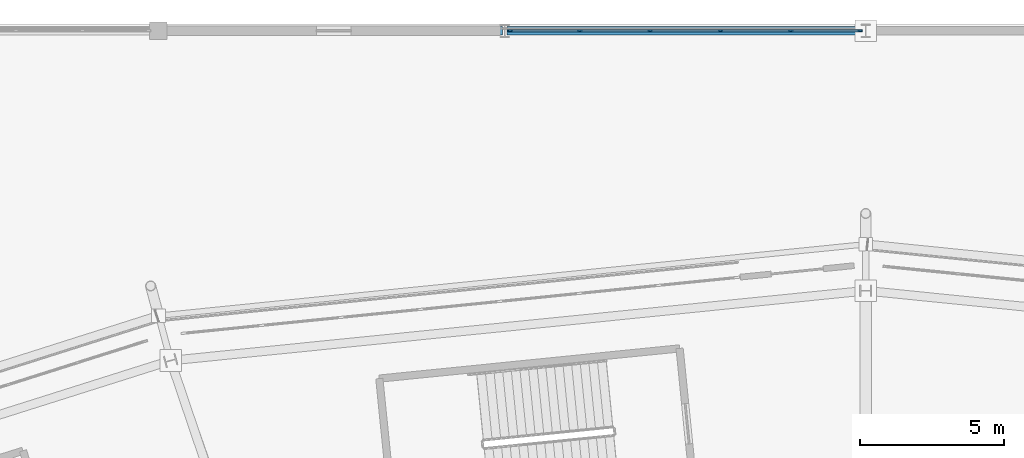
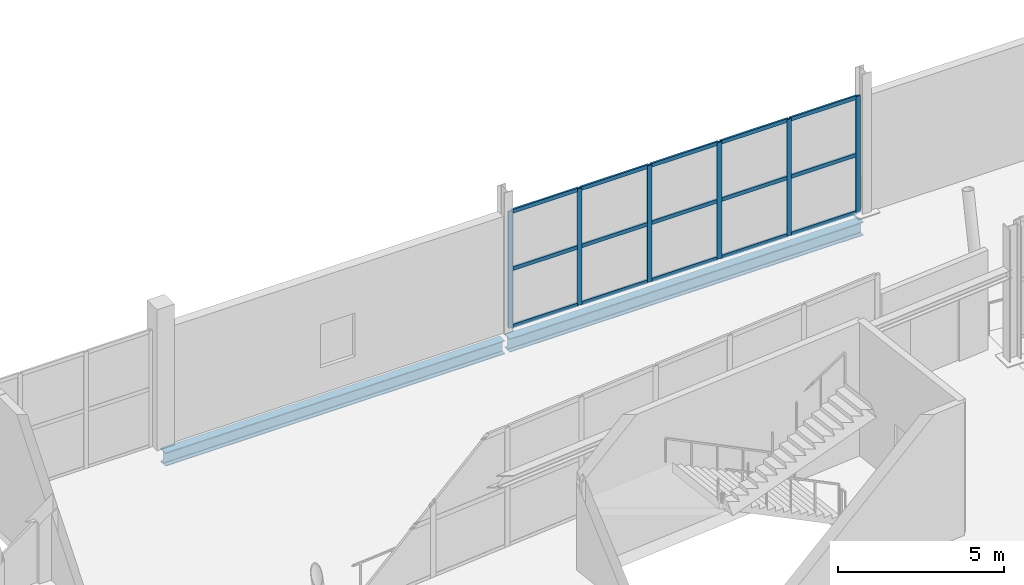
# One storey, part 79 of 178: 21 members, 2 beams, 1 element without a shape of its own.
"""IFC4 building model written with IfcOpenShell, lengths in metres."""

import ifcopenshell
import ifcopenshell.guid

model = None  # the IFC model being written
_history = None  # IfcOwnerHistory: only IFC2X3 demands one
_inside = {}  # id of a spatial element -> (the spatial element, [elements in it])
_under = {}  # id of a project, library or spatial element -> (it, [spatial elements below it])
_declared = {}  # id of a project -> (the project, [libraries it declares])
_typed = {}  # id of a type object -> (the type object, [elements of that type])
_made_of = {}  # id of a material, layer set ... -> (it, [elements and type objects made of it])


def new_model(schema):
    """Start an empty IFC model of exactly this schema.

    Asked for "IFC4X3", IfcOpenShell would pick the latest addendum, in which some entities
    have other attributes; the version numbers below select the first issue.
    IFC2X3 requires an IfcOwnerHistory on every rooted entity: one is made here for all.
    """
    global model, _history
    if schema == "IFC4X3":
        model = ifcopenshell.file(schema_version=(4, 3, 0, 0))
    else:
        model = ifcopenshell.file(schema=schema)
    _inside.clear()
    _under.clear()
    _declared.clear()
    _typed.clear()
    _made_of.clear()
    _history = None
    if model.schema == "IFC2X3":
        org = make("IfcOrganization", Name="unknown")
        user = make(
            "IfcPersonAndOrganization",
            ThePerson=make("IfcPerson", FamilyName="unknown"),
            TheOrganization=org,
        )
        app = make(
            "IfcApplication",
            ApplicationDeveloper=org,
            Version="unknown",
            ApplicationFullName="unknown",
            ApplicationIdentifier="unknown",
        )
        _history = make(
            "IfcOwnerHistory",
            OwningUser=user,
            OwningApplication=app,
            ChangeAction="ADDED",
            CreationDate=0,
        )
    return model


def make(cls, **values):
    """One entity of the class cls with the attributes given. An attribute that is None is left unset."""
    return model.create_entity(
        cls, **{name: value for name, value in values.items() if value is not None}
    )


def rooted(cls, **values):
    """An entity with a GlobalId (a new one), such as an element, a storey or a relation."""
    return make(cls, GlobalId=ifcopenshell.guid.new(), OwnerHistory=_history, **values)


def si_unit(unit_type, name, prefix=None):
    """IfcSIUnit, for example si_unit("LENGTHUNIT", "METRE", prefix="MILLI")."""
    return make("IfcSIUnit", UnitType=unit_type, Prefix=prefix, Name=name)


def assignment(units):
    """IfcUnitAssignment: the units of a project."""
    return None if units is None else make("IfcUnitAssignment", Units=units)


def point(xyz):
    """IfcCartesianPoint."""
    return None if xyz is None else make("IfcCartesianPoint", Coordinates=xyz)


def direction(xyz):
    """IfcDirection."""
    return None if xyz is None else make("IfcDirection", DirectionRatios=xyz)


def frame(location, z_axis=None, x_axis=None):
    """IfcAxis2Placement3D, a coordinate frame: its origin and axes. An axis left out is left unset."""
    return make(
        "IfcAxis2Placement3D",
        Location=point(location),
        Axis=direction(z_axis),
        RefDirection=direction(x_axis),
    )


def frame_2d(location, x_axis=None):
    """IfcAxis2Placement2D, a coordinate frame in the plane: its origin and x axis."""
    return make(
        "IfcAxis2Placement2D", Location=point(location), RefDirection=direction(x_axis)
    )


def origin():
    """The frame at (0, 0, 0) with its axes left unset."""
    return frame((0.0, 0.0, 0.0))


def origin_2d():
    """The frame at (0, 0) in the plane with its x axis left unset."""
    return frame_2d((0.0, 0.0))


def place(relative_to, where):
    """IfcLocalPlacement: puts the frame where relative to a parent placement (None: the world)."""
    return make(
        "IfcLocalPlacement", PlacementRelTo=relative_to, RelativePlacement=where
    )


def context(
    kind, dimensions, precision=None, world=None, true_north=None, identifier=None
):
    """IfcGeometricRepresentationContext, for example the 3D "Model" context."""
    return make(
        "IfcGeometricRepresentationContext",
        ContextIdentifier=identifier,
        ContextType=kind,
        CoordinateSpaceDimension=dimensions,
        Precision=precision,
        WorldCoordinateSystem=world,
        TrueNorth=true_north,
    )


def subcontext(parent, identifier, kind, view, scale=None):
    """IfcGeometricRepresentationSubContext, for example "Body" below "Model"."""
    return make(
        "IfcGeometricRepresentationSubContext",
        ContextIdentifier=identifier,
        ContextType=kind,
        ParentContext=parent,
        TargetScale=scale,
        TargetView=view,
    )


def project(units=None, contexts=None):
    """IfcProject with its units and contexts."""
    return rooted(
        "IfcProject",
        Name="project",
        RepresentationContexts=contexts,
        UnitsInContext=assignment(units),
    )


def spatial(cls, under=None, at=None, **own):
    """A site, building, storey or space (cls), placed at a placement, below another one or the project."""
    s = rooted(cls, ObjectPlacement=at, **own)
    if under is not None:
        _under.setdefault(under.id(), (under, []))[1].append(s)
    return s


def profile(cls, at=None, kind="AREA", **sizes):
    """A parametric profile (cls). Its sizes go by their IFC names, for example OverallWidth=200.0."""
    return make(cls, ProfileType=kind, Position=at, **sizes)


def rectangle(**sizes):
    """IfcRectangleProfileDef."""
    return profile("IfcRectangleProfileDef", **sizes)


def i_section(**sizes):
    """IfcIShapeProfileDef."""
    return profile("IfcIShapeProfileDef", **sizes)


def extrude(swept, where, along, depth):
    """IfcExtrudedAreaSolid: the profile swept, set in the frame where, extruded along a direction by depth."""
    return make(
        "IfcExtrudedAreaSolid",
        SweptArea=swept,
        Position=where,
        ExtrudedDirection=direction(along),
        Depth=depth,
    )


def shape(context_of_items, identifier, shape_type, items):
    """IfcShapeRepresentation: the items that make up one representation, for example the "Body"."""
    return make(
        "IfcShapeRepresentation",
        ContextOfItems=context_of_items,
        RepresentationIdentifier=identifier,
        RepresentationType=shape_type,
        Items=items,
    )


def material(Name=None, Category=None):
    """IfcMaterial."""
    return make("IfcMaterial", Name=Name, Category=Category)


def material_profile(
    of_material, cross_section, Name=None, Category=None, Priority=None
):
    """IfcMaterialProfile: a cross section and its material."""
    return make(
        "IfcMaterialProfile",
        Name=Name,
        Material=of_material,
        Profile=cross_section,
        Priority=Priority,
        Category=Category,
    )


def profile_set(profiles, Name=None, composite=None):
    """IfcMaterialProfileSet."""
    return make(
        "IfcMaterialProfileSet",
        Name=Name,
        MaterialProfiles=profiles,
        CompositeProfile=composite,
    )


def made_of(thing, what):
    """Note that an element or type object is made of a material, layer set ...; save() writes the relation."""
    if what is not None:
        _made_of.setdefault(what.id(), (what, []))[1].append(thing)
    return thing


def type_object(cls, material=None, **own):
    """A type object (cls), such as IfcWallType, which elements share."""
    return made_of(rooted(cls, **own), material)


def element(
    cls,
    number,
    at=None,
    inside=None,
    cuts=None,
    type_object=None,
    material=None,
    context=None,
    identifier="Body",
    shape_type=None,
    held_by="IfcProductDefinitionShape",
    body=None,
    shapes=None,
    **own,
):
    """One element of the class cls, such as IfcWall. Its Tag is "e" and its number.

    at: its placement. inside: the storey or other place that contains it. cuts: it is an
    opening in that element (IfcRelVoidsElement). A single representation is given by context,
    identifier, shape_type and body (its items); several are given by shapes. held_by: the class
    of the entity that holds the representations. save() writes the other relations.
    """
    e = rooted(cls, Tag="e%d" % number, ObjectPlacement=at, **own)
    if body is not None:
        shapes = [shape(context, identifier, shape_type, body)]
    if shapes is not None:
        e.Representation = make(held_by, Representations=shapes)
    if inside is not None:
        _inside.setdefault(inside.id(), (inside, []))[1].append(e)
    if cuts is not None:
        rooted(
            "IfcRelVoidsElement", RelatingBuildingElement=cuts, RelatedOpeningElement=e
        )
    if type_object is not None:
        _typed.setdefault(type_object.id(), (type_object, []))[1].append(e)
    return made_of(e, material)


def aggregate(whole, parts):
    """IfcRelAggregates: a whole, such as a stair, and the parts it consists of."""
    return rooted("IfcRelAggregates", RelatingObject=whole, RelatedObjects=parts)


def save(model, path):
    """Write the relations noted so far, then the file.

    IfcRelAggregates (storeys below a building ...), IfcRelContainedInSpatialStructure (elements
    in a storey), IfcRelDefinesByType, IfcRelAssociatesMaterial and IfcRelDeclares: one each for
    every whole, place, type object, material and project.
    """
    for whole, parts in _under.values():
        aggregate(whole, parts)
    for where, things in _inside.values():
        rooted(
            "IfcRelContainedInSpatialStructure",
            RelatedElements=things,
            RelatingStructure=where,
        )
    for kind, things in _typed.values():
        rooted("IfcRelDefinesByType", RelatedObjects=things, RelatingType=kind)
    for what, things in _made_of.values():
        rooted("IfcRelAssociatesMaterial", RelatedObjects=things, RelatingMaterial=what)
    for by, libraries in _declared.values():
        rooted("IfcRelDeclares", RelatingContext=by, RelatedDefinitions=libraries)
    model.write(path)


model = new_model("IFC4")

# Units and contexts
model_context = context("Model", 3, precision=1e-05, world=origin(), true_north=direction((0.0, 1.0)))
body_context = subcontext(model_context, "Body", "Model", "MODEL_VIEW")
ifc_project = project(units=[si_unit("LENGTHUNIT", "METRE"), si_unit("AREAUNIT", "SQUARE_METRE"), si_unit("VOLUMEUNIT", "CUBIC_METRE"), si_unit("PLANEANGLEUNIT", "RADIAN"), si_unit("MASSUNIT", "GRAM", prefix="KILO")], contexts=[model_context])

# Site, building, storey
site_placement = place(None, origin())
site = spatial("IfcSite", under=ifc_project, at=site_placement, CompositionType="ELEMENT")
building_placement = place(site_placement, origin())
building = spatial("IfcBuilding", under=site, at=building_placement, Name="Zlatoyarsky Gate Stadium", CompositionType="ELEMENT")
storey_placement = place(building_placement, frame((0.0, 0.0, 5.39990234375)))
storey = spatial("IfcBuildingStorey", under=building, at=storey_placement, Name="L01", CompositionType="ELEMENT", Elevation=5.39990234375)

# Curtain wall, members
ifc_material_1 = material(Name="Thermally broken anodised aluminium curtain wall", Category="aluminium")
curtain_wall_type = type_object("IfcCurtainWallType", Name="WINTER GARDEN CONSERVATORY GLAZING", PredefinedType="USERDEFINED", material=ifc_material_1)
curtain_wall_placement = place(storey_placement, origin())
curtain_wall = element("IfcCurtainWall", 1, at=curtain_wall_placement, inside=storey, type_object=curtain_wall_type, Name="Curtain wall CW-V2_NORTH-L01-146", ObjectType="UNITISED GLAZING", PredefinedType="USERDEFINED")
ifc_material_2 = material(Name="Anodised aluminium 6063-T6", Category="aluminium")
ifc_material_profile_1 = material_profile(ifc_material_2, rectangle(XDim=0.06494140625, YDim=0.159912109375, at=origin_2d()), Name="ALU 65X160")
ifc_profile_set_1 = profile_set([ifc_material_profile_1], Name="Anodised aluminium 6063-T6")
member_type_1 = type_object("IfcMemberType", Name="ALUMINIUM MULLION 65X160", PredefinedType="MULLION", material=ifc_profile_set_1)
member_1_placement = place(storey_placement, frame((98.694580078125, 160.0, 0.0), z_axis=(0.0, 0.0, 1.0), x_axis=(0.0, 1.0, 0.0)))
member_1 = element("IfcMember", 2, at=member_1_placement, type_object=member_type_1, Name="CW-WG1 mullion 1", PredefinedType="MULLION", context=body_context, shape_type="SweptSolid", body=[
    extrude(rectangle(XDim=0.06494140625, YDim=0.159912109375, at=origin_2d()), origin(), (0.0, 0.0, 1.0), 4.300048828125),
])
member_2_placement = place(storey_placement, frame((101.09716796875, 160.0, 0.0), z_axis=(0.0, 0.0, 1.0), x_axis=(0.0, 1.0, 0.0)))
member_2 = element("IfcMember", 3, at=member_2_placement, type_object=member_type_1, Name="CW-WG1 mullion 2", PredefinedType="MULLION", context=body_context, shape_type="SweptSolid", body=[
    extrude(rectangle(XDim=0.06494140625, YDim=0.159912109375, at=origin_2d()), origin(), (0.0, 0.0, 1.0), 4.300048828125),
])
member_3_placement = place(storey_placement, frame((103.532470703125, 160.0, 0.0), z_axis=(0.0, 0.0, 1.0), x_axis=(0.0, 1.0, 0.0)))
member_3 = element("IfcMember", 4, at=member_3_placement, type_object=member_type_1, Name="CW-WG1 mullion 3", PredefinedType="MULLION", context=body_context, shape_type="SweptSolid", body=[
    extrude(rectangle(XDim=0.06494140625, YDim=0.159912109375, at=origin_2d()), origin(), (0.0, 0.0, 1.0), 4.300048828125),
])
member_4_placement = place(storey_placement, frame((105.967529296875, 160.0, 0.0), z_axis=(0.0, 0.0, 1.0), x_axis=(0.0, 1.0, 0.0)))
member_4 = element("IfcMember", 5, at=member_4_placement, type_object=member_type_1, Name="CW-WG1 mullion 4", PredefinedType="MULLION", context=body_context, shape_type="SweptSolid", body=[
    extrude(rectangle(XDim=0.06494140625, YDim=0.159912109375, at=origin_2d()), origin(), (0.0, 0.0, 1.0), 4.300048828125),
])
member_5_placement = place(storey_placement, frame((108.40283203125, 160.0, 0.0), z_axis=(0.0, 0.0, 1.0), x_axis=(0.0, 1.0, 0.0)))
member_5 = element("IfcMember", 6, at=member_5_placement, type_object=member_type_1, Name="CW-WG1 mullion 5", PredefinedType="MULLION", context=body_context, shape_type="SweptSolid", body=[
    extrude(rectangle(XDim=0.06494140625, YDim=0.159912109375, at=origin_2d()), origin(), (0.0, 0.0, 1.0), 4.300048828125),
])
member_6_placement = place(storey_placement, frame((110.805419921875, 160.0, 0.0), z_axis=(0.0, 0.0, 1.0), x_axis=(0.0, 1.0, 0.0)))
member_6 = element("IfcMember", 7, at=member_6_placement, type_object=member_type_1, Name="CW-WG1 mullion 6", PredefinedType="MULLION", context=body_context, shape_type="SweptSolid", body=[
    extrude(rectangle(XDim=0.06494140625, YDim=0.159912109375, at=origin_2d()), origin(), (0.0, 0.0, 1.0), 4.300048828125),
])
ifc_material_profile_2 = material_profile(ifc_material_2, rectangle(XDim=0.06494140625, YDim=0.139892578125, at=origin_2d()), Name="ALU 65X140")
ifc_profile_set_2 = profile_set([ifc_material_profile_2], Name="Anodised aluminium 6063-T6")
member_type_2 = type_object("IfcMemberType", Name="ALUMINIUM TRANSOM 65X140", PredefinedType="USERDEFINED", material=ifc_profile_set_2)
member_7_placement = place(storey_placement, frame((98.72705078125, 160.0, 0.03271484375), z_axis=(1.0, 0.0, 0.0), x_axis=(0.0, 1.0, 0.0)))
member_7 = element("IfcMember", 8, at=member_7_placement, type_object=member_type_2, Name="CW-WG1 transom 1.1", ObjectType="TRANSOM", PredefinedType="USERDEFINED", context=body_context, shape_type="SweptSolid", body=[
    extrude(rectangle(XDim=0.06494140625, YDim=0.139892578125, at=origin_2d()), origin(), (0.0, 0.0, 1.0), 2.337646484375),
])
member_8_placement = place(storey_placement, frame((98.72705078125, 160.0, 2.150146484375), z_axis=(1.0, 0.0, 0.0), x_axis=(0.0, 1.0, 0.0)))
member_8 = element("IfcMember", 9, at=member_8_placement, type_object=member_type_2, Name="CW-WG1 transom 1.2", ObjectType="TRANSOM", PredefinedType="USERDEFINED", context=body_context, shape_type="SweptSolid", body=[
    extrude(rectangle(XDim=0.06494140625, YDim=0.139892578125, at=origin_2d()), origin(), (0.0, 0.0, 1.0), 2.337646484375),
])
member_9_placement = place(storey_placement, frame((98.72705078125, 160.0, 4.267578125), z_axis=(1.0, 0.0, 0.0), x_axis=(0.0, 1.0, 0.0)))
member_9 = element("IfcMember", 10, at=member_9_placement, type_object=member_type_2, Name="CW-WG1 transom 1.3", ObjectType="TRANSOM", PredefinedType="USERDEFINED", context=body_context, shape_type="SweptSolid", body=[
    extrude(rectangle(XDim=0.06494140625, YDim=0.139892578125, at=origin_2d()), origin(), (0.0, 0.0, 1.0), 2.337646484375),
])
member_10_placement = place(storey_placement, frame((101.129638671875, 160.0, 0.03271484375), z_axis=(1.0, 0.0, 0.0), x_axis=(0.0, 1.0, 0.0)))
member_10 = element("IfcMember", 11, at=member_10_placement, type_object=member_type_2, Name="CW-WG1 transom 2.1", ObjectType="TRANSOM", PredefinedType="USERDEFINED", context=body_context, shape_type="SweptSolid", body=[
    extrude(rectangle(XDim=0.06494140625, YDim=0.139892578125, at=origin_2d()), origin(), (0.0, 0.0, 1.0), 2.370361328125),
])
member_11_placement = place(storey_placement, frame((101.129638671875, 160.0, 2.150146484375), z_axis=(1.0, 0.0, 0.0), x_axis=(0.0, 1.0, 0.0)))
member_11 = element("IfcMember", 12, at=member_11_placement, type_object=member_type_2, Name="CW-WG1 transom 2.2", ObjectType="TRANSOM", PredefinedType="USERDEFINED", context=body_context, shape_type="SweptSolid", body=[
    extrude(rectangle(XDim=0.06494140625, YDim=0.139892578125, at=origin_2d()), origin(), (0.0, 0.0, 1.0), 2.370361328125),
])
member_12_placement = place(storey_placement, frame((101.129638671875, 160.0, 4.267578125), z_axis=(1.0, 0.0, 0.0), x_axis=(0.0, 1.0, 0.0)))
member_12 = element("IfcMember", 13, at=member_12_placement, type_object=member_type_2, Name="CW-WG1 transom 2.3", ObjectType="TRANSOM", PredefinedType="USERDEFINED", context=body_context, shape_type="SweptSolid", body=[
    extrude(rectangle(XDim=0.06494140625, YDim=0.139892578125, at=origin_2d()), origin(), (0.0, 0.0, 1.0), 2.370361328125),
])
member_13_placement = place(storey_placement, frame((103.56494140625, 160.0, 0.03271484375), z_axis=(1.0, 0.0, 0.0), x_axis=(0.0, 1.0, 0.0)))
member_13 = element("IfcMember", 14, at=member_13_placement, type_object=member_type_2, Name="CW-WG1 transom 3.1", ObjectType="TRANSOM", PredefinedType="USERDEFINED", context=body_context, shape_type="SweptSolid", body=[
    extrude(rectangle(XDim=0.06494140625, YDim=0.139892578125, at=origin_2d()), origin(), (0.0, 0.0, 1.0), 2.3701171875),
])
member_14_placement = place(storey_placement, frame((103.56494140625, 160.0, 2.150146484375), z_axis=(1.0, 0.0, 0.0), x_axis=(0.0, 1.0, 0.0)))
member_14 = element("IfcMember", 15, at=member_14_placement, type_object=member_type_2, Name="CW-WG1 transom 3.2", ObjectType="TRANSOM", PredefinedType="USERDEFINED", context=body_context, shape_type="SweptSolid", body=[
    extrude(rectangle(XDim=0.06494140625, YDim=0.139892578125, at=origin_2d()), origin(), (0.0, 0.0, 1.0), 2.3701171875),
])
member_15_placement = place(storey_placement, frame((103.56494140625, 160.0, 4.267578125), z_axis=(1.0, 0.0, 0.0), x_axis=(0.0, 1.0, 0.0)))
member_15 = element("IfcMember", 16, at=member_15_placement, type_object=member_type_2, Name="CW-WG1 transom 3.3", ObjectType="TRANSOM", PredefinedType="USERDEFINED", context=body_context, shape_type="SweptSolid", body=[
    extrude(rectangle(XDim=0.06494140625, YDim=0.139892578125, at=origin_2d()), origin(), (0.0, 0.0, 1.0), 2.3701171875),
])
member_16_placement = place(storey_placement, frame((106.0, 160.0, 0.03271484375), z_axis=(1.0, 0.0, 0.0), x_axis=(0.0, 1.0, 0.0)))
member_16 = element("IfcMember", 17, at=member_16_placement, type_object=member_type_2, Name="CW-WG1 transom 4.1", ObjectType="TRANSOM", PredefinedType="USERDEFINED", context=body_context, shape_type="SweptSolid", body=[
    extrude(rectangle(XDim=0.06494140625, YDim=0.139892578125, at=origin_2d()), origin(), (0.0, 0.0, 1.0), 2.370361328125),
])
member_17_placement = place(storey_placement, frame((106.0, 160.0, 2.150146484375), z_axis=(1.0, 0.0, 0.0), x_axis=(0.0, 1.0, 0.0)))
member_17 = element("IfcMember", 18, at=member_17_placement, type_object=member_type_2, Name="CW-WG1 transom 4.2", ObjectType="TRANSOM", PredefinedType="USERDEFINED", context=body_context, shape_type="SweptSolid", body=[
    extrude(rectangle(XDim=0.06494140625, YDim=0.139892578125, at=origin_2d()), origin(), (0.0, 0.0, 1.0), 2.370361328125),
])
member_18_placement = place(storey_placement, frame((106.0, 160.0, 4.267578125), z_axis=(1.0, 0.0, 0.0), x_axis=(0.0, 1.0, 0.0)))
member_18 = element("IfcMember", 19, at=member_18_placement, type_object=member_type_2, Name="CW-WG1 transom 4.3", ObjectType="TRANSOM", PredefinedType="USERDEFINED", context=body_context, shape_type="SweptSolid", body=[
    extrude(rectangle(XDim=0.06494140625, YDim=0.139892578125, at=origin_2d()), origin(), (0.0, 0.0, 1.0), 2.370361328125),
])
member_19_placement = place(storey_placement, frame((108.435302734375, 160.0, 0.03271484375), z_axis=(1.0, 0.0, 0.0), x_axis=(0.0, 1.0, 0.0)))
member_19 = element("IfcMember", 20, at=member_19_placement, type_object=member_type_2, Name="CW-WG1 transom 5.1", ObjectType="TRANSOM", PredefinedType="USERDEFINED", context=body_context, shape_type="SweptSolid", body=[
    extrude(rectangle(XDim=0.06494140625, YDim=0.139892578125, at=origin_2d()), origin(), (0.0, 0.0, 1.0), 2.337646484375),
])
member_20_placement = place(storey_placement, frame((108.435302734375, 160.0, 2.150146484375), z_axis=(1.0, 0.0, 0.0), x_axis=(0.0, 1.0, 0.0)))
member_20 = element("IfcMember", 21, at=member_20_placement, type_object=member_type_2, Name="CW-WG1 transom 5.2", ObjectType="TRANSOM", PredefinedType="USERDEFINED", context=body_context, shape_type="SweptSolid", body=[
    extrude(rectangle(XDim=0.06494140625, YDim=0.139892578125, at=origin_2d()), origin(), (0.0, 0.0, 1.0), 2.337646484375),
])
member_21_placement = place(storey_placement, frame((108.435302734375, 160.0, 4.267578125), z_axis=(1.0, 0.0, 0.0), x_axis=(0.0, 1.0, 0.0)))
member_21 = element("IfcMember", 22, at=member_21_placement, type_object=member_type_2, Name="CW-WG1 transom 5.3", ObjectType="TRANSOM", PredefinedType="USERDEFINED", context=body_context, shape_type="SweptSolid", body=[
    extrude(rectangle(XDim=0.06494140625, YDim=0.139892578125, at=origin_2d()), origin(), (0.0, 0.0, 1.0), 2.337646484375),
])
aggregate(curtain_wall, [member_1, member_2, member_3, member_4, member_5, member_6, member_7, member_8, member_9, member_10, member_11, member_12, member_13, member_14, member_15, member_16, member_17, member_18, member_19, member_20, member_21])

# Beams
ifc_material_3 = material(Name="Steel S355", Category="steel")
ifc_material_profile_3 = material_profile(ifc_material_3, i_section(OverallWidth=0.300048828125, OverallDepth=0.5, WebThickness=0.014404296875, FlangeThickness=0.028076171875, FilletRadius=0.027099609375, at=origin_2d()), Name="HEB 500")
ifc_profile_set_3 = profile_set([ifc_material_profile_3], Name="Steel S355")
beam_type = type_object("IfcBeamType", Name="STEEL PRIMARY GIRDER HEB 500", PredefinedType="BEAM", material=ifc_profile_set_3)
beam_1_placement = place(storey_placement, frame((86.580078125, 160.0, -0.5498046875), z_axis=(1.0, 0.0, 0.0), x_axis=(0.0, 1.0, 0.0)))
element("IfcBeam", 23, at=beam_1_placement, inside=storey, type_object=beam_type, Name="Beam G-HEB500 BM-L01-WGX-8-Q", PredefinedType="BEAM", context=body_context, shape_type="SweptSolid", body=[
    extrude(i_section(OverallWidth=0.300048828125, OverallDepth=0.5, WebThickness=0.014404296875, FlangeThickness=0.028076171875, FilletRadius=0.027099609375, at=origin_2d()), origin(), (0.0, 0.0, 1.0), 11.83984375),
])
beam_2_placement = place(storey_placement, frame((98.580078125, 160.0, -0.5498046875), z_axis=(1.0, 0.0, 0.0), x_axis=(0.0, 1.0, 0.0)))
element("IfcBeam", 24, at=beam_2_placement, inside=storey, type_object=beam_type, Name="Beam G-HEB500 BM-L01-WGX-9-Q", PredefinedType="BEAM", context=body_context, shape_type="SweptSolid", body=[
    extrude(i_section(OverallWidth=0.300048828125, OverallDepth=0.5, WebThickness=0.014404296875, FlangeThickness=0.028076171875, FilletRadius=0.027099609375, at=origin_2d()), origin(), (0.0, 0.0, 1.0), 12.33984375),
])

save(model, "model.ifc")
